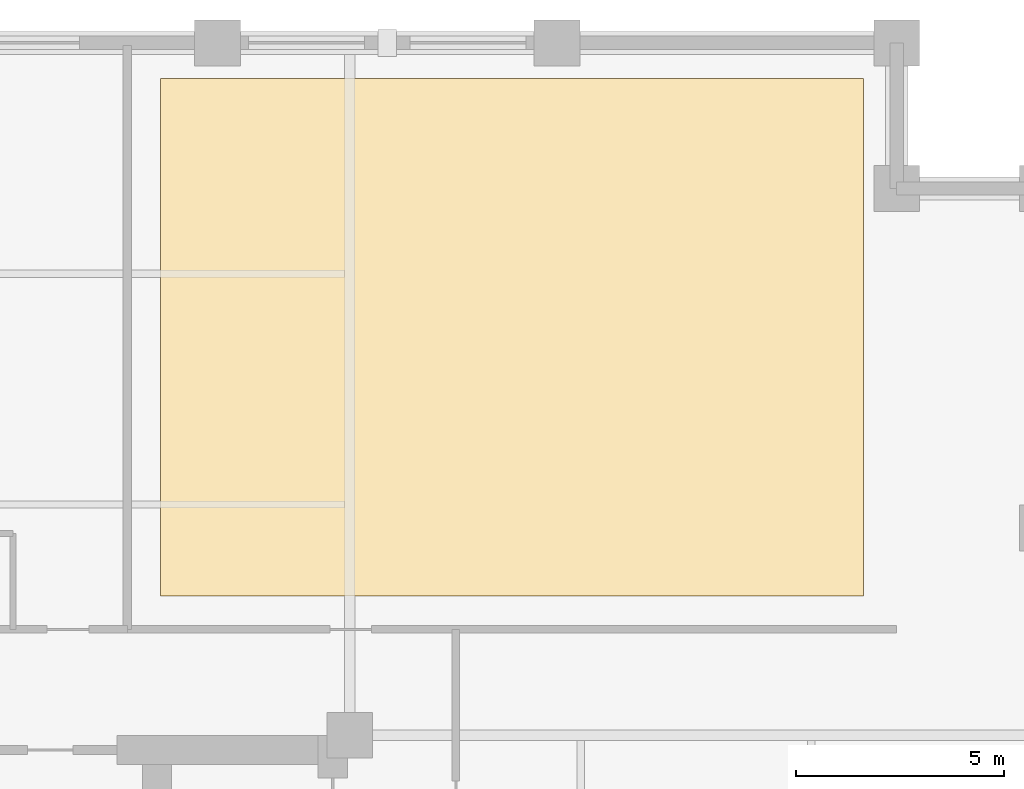
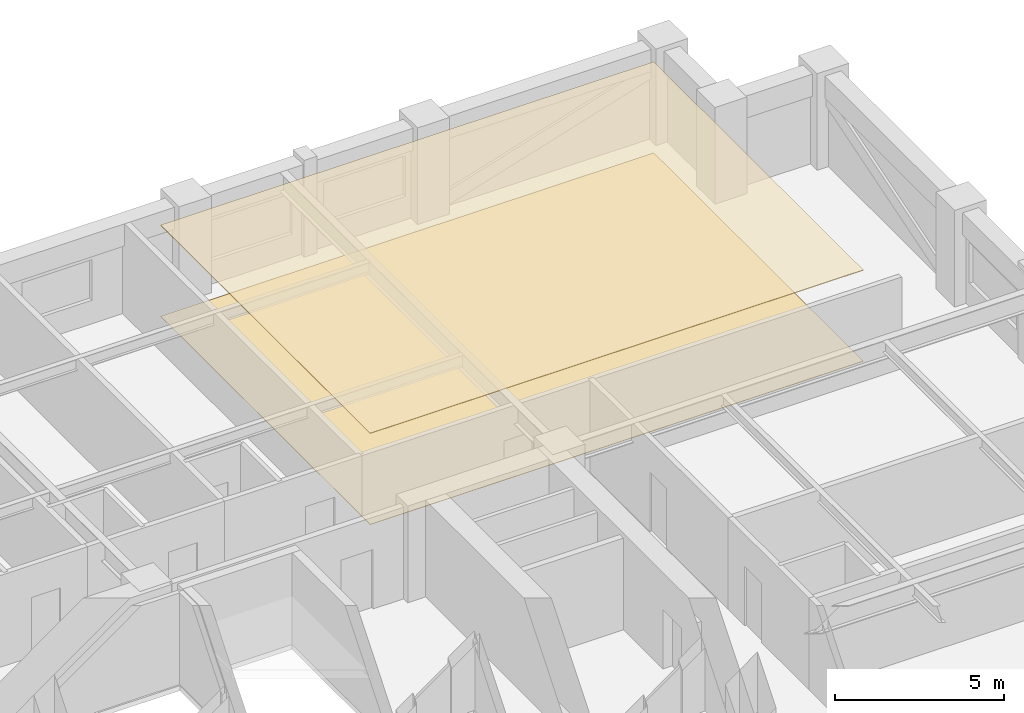
# One storey, part 12 of 12: 2 coverings.
"""IFC4 building model written with IfcOpenShell, lengths in metres."""

import ifcopenshell
import ifcopenshell.guid

model = None  # the IFC model being written
_history = None  # IfcOwnerHistory: only IFC2X3 demands one
_inside = {}  # id of a spatial element -> (the spatial element, [elements in it])
_under = {}  # id of a project, library or spatial element -> (it, [spatial elements below it])
_declared = {}  # id of a project -> (the project, [libraries it declares])
_typed = {}  # id of a type object -> (the type object, [elements of that type])
_made_of = {}  # id of a material, layer set ... -> (it, [elements and type objects made of it])


def new_model(schema):
    """Start an empty IFC model of exactly this schema.

    Asked for "IFC4X3", IfcOpenShell would pick the latest addendum, in which some entities
    have other attributes; the version numbers below select the first issue.
    IFC2X3 requires an IfcOwnerHistory on every rooted entity: one is made here for all.
    """
    global model, _history
    if schema == "IFC4X3":
        model = ifcopenshell.file(schema_version=(4, 3, 0, 0))
    else:
        model = ifcopenshell.file(schema=schema)
    _inside.clear()
    _under.clear()
    _declared.clear()
    _typed.clear()
    _made_of.clear()
    _history = None
    if model.schema == "IFC2X3":
        org = make("IfcOrganization", Name="unknown")
        user = make(
            "IfcPersonAndOrganization",
            ThePerson=make("IfcPerson", FamilyName="unknown"),
            TheOrganization=org,
        )
        app = make(
            "IfcApplication",
            ApplicationDeveloper=org,
            Version="unknown",
            ApplicationFullName="unknown",
            ApplicationIdentifier="unknown",
        )
        _history = make(
            "IfcOwnerHistory",
            OwningUser=user,
            OwningApplication=app,
            ChangeAction="ADDED",
            CreationDate=0,
        )
    return model


def make(cls, **values):
    """One entity of the class cls with the attributes given. An attribute that is None is left unset."""
    return model.create_entity(
        cls, **{name: value for name, value in values.items() if value is not None}
    )


def rooted(cls, **values):
    """An entity with a GlobalId (a new one), such as an element, a storey or a relation."""
    return make(cls, GlobalId=ifcopenshell.guid.new(), OwnerHistory=_history, **values)


def si_unit(unit_type, name, prefix=None):
    """IfcSIUnit, for example si_unit("LENGTHUNIT", "METRE", prefix="MILLI")."""
    return make("IfcSIUnit", UnitType=unit_type, Prefix=prefix, Name=name)


def assignment(units):
    """IfcUnitAssignment: the units of a project."""
    return None if units is None else make("IfcUnitAssignment", Units=units)


def point(xyz):
    """IfcCartesianPoint."""
    return None if xyz is None else make("IfcCartesianPoint", Coordinates=xyz)


def direction(xyz):
    """IfcDirection."""
    return None if xyz is None else make("IfcDirection", DirectionRatios=xyz)


def frame(location, z_axis=None, x_axis=None):
    """IfcAxis2Placement3D, a coordinate frame: its origin and axes. An axis left out is left unset."""
    return make(
        "IfcAxis2Placement3D",
        Location=point(location),
        Axis=direction(z_axis),
        RefDirection=direction(x_axis),
    )


def origin():
    """The frame at (0, 0, 0) with its axes left unset."""
    return frame((0.0, 0.0, 0.0))


def place(relative_to, where):
    """IfcLocalPlacement: puts the frame where relative to a parent placement (None: the world)."""
    return make(
        "IfcLocalPlacement", PlacementRelTo=relative_to, RelativePlacement=where
    )


def context(
    kind, dimensions, precision=None, world=None, true_north=None, identifier=None
):
    """IfcGeometricRepresentationContext, for example the 3D "Model" context."""
    return make(
        "IfcGeometricRepresentationContext",
        ContextIdentifier=identifier,
        ContextType=kind,
        CoordinateSpaceDimension=dimensions,
        Precision=precision,
        WorldCoordinateSystem=world,
        TrueNorth=true_north,
    )


def subcontext(parent, identifier, kind, view, scale=None):
    """IfcGeometricRepresentationSubContext, for example "Body" below "Model"."""
    return make(
        "IfcGeometricRepresentationSubContext",
        ContextIdentifier=identifier,
        ContextType=kind,
        ParentContext=parent,
        TargetScale=scale,
        TargetView=view,
    )


def project(units=None, contexts=None):
    """IfcProject with its units and contexts."""
    return rooted(
        "IfcProject",
        Name="project",
        RepresentationContexts=contexts,
        UnitsInContext=assignment(units),
    )


def spatial(cls, under=None, at=None, **own):
    """A site, building, storey or space (cls), placed at a placement, below another one or the project."""
    s = rooted(cls, ObjectPlacement=at, **own)
    if under is not None:
        _under.setdefault(under.id(), (under, []))[1].append(s)
    return s


def polyline(points):
    """IfcPolyline through the points."""
    return make("IfcPolyline", Points=[point(p) for p in points])


def outline(outer, holes=None, kind="AREA"):
    """IfcArbitraryClosedProfileDef: a profile drawn as a closed curve; with holes, ...WithVoids."""
    if holes is None:
        return make("IfcArbitraryClosedProfileDef", ProfileType=kind, OuterCurve=outer)
    return make(
        "IfcArbitraryProfileDefWithVoids",
        ProfileType=kind,
        OuterCurve=outer,
        InnerCurves=holes,
    )


def extrude(swept, where, along, depth):
    """IfcExtrudedAreaSolid: the profile swept, set in the frame where, extruded along a direction by depth."""
    return make(
        "IfcExtrudedAreaSolid",
        SweptArea=swept,
        Position=where,
        ExtrudedDirection=direction(along),
        Depth=depth,
    )


def shape(context_of_items, identifier, shape_type, items):
    """IfcShapeRepresentation: the items that make up one representation, for example the "Body"."""
    return make(
        "IfcShapeRepresentation",
        ContextOfItems=context_of_items,
        RepresentationIdentifier=identifier,
        RepresentationType=shape_type,
        Items=items,
    )


def material(Name=None, Category=None):
    """IfcMaterial."""
    return make("IfcMaterial", Name=Name, Category=Category)


def layer(
    of_material, thickness, ventilated=None, Name=None, Category=None, Priority=None
):
    """IfcMaterialLayer: one layer of a wall or slab, of a material (None: an air gap)."""
    return make(
        "IfcMaterialLayer",
        Material=of_material,
        LayerThickness=thickness,
        IsVentilated=ventilated,
        Name=Name,
        Category=Category,
        Priority=Priority,
    )


def layer_set(layers, Name=None):
    """IfcMaterialLayerSet."""
    return make("IfcMaterialLayerSet", MaterialLayers=layers, LayerSetName=Name)


def made_of(thing, what):
    """Note that an element or type object is made of a material, layer set ...; save() writes the relation."""
    if what is not None:
        _made_of.setdefault(what.id(), (what, []))[1].append(thing)
    return thing


def type_object(cls, material=None, **own):
    """A type object (cls), such as IfcWallType, which elements share."""
    return made_of(rooted(cls, **own), material)


def element(
    cls,
    number,
    at=None,
    inside=None,
    cuts=None,
    type_object=None,
    material=None,
    context=None,
    identifier="Body",
    shape_type=None,
    held_by="IfcProductDefinitionShape",
    body=None,
    shapes=None,
    **own,
):
    """One element of the class cls, such as IfcWall. Its Tag is "e" and its number.

    at: its placement. inside: the storey or other place that contains it. cuts: it is an
    opening in that element (IfcRelVoidsElement). A single representation is given by context,
    identifier, shape_type and body (its items); several are given by shapes. held_by: the class
    of the entity that holds the representations. save() writes the other relations.
    """
    e = rooted(cls, Tag="e%d" % number, ObjectPlacement=at, **own)
    if body is not None:
        shapes = [shape(context, identifier, shape_type, body)]
    if shapes is not None:
        e.Representation = make(held_by, Representations=shapes)
    if inside is not None:
        _inside.setdefault(inside.id(), (inside, []))[1].append(e)
    if cuts is not None:
        rooted(
            "IfcRelVoidsElement", RelatingBuildingElement=cuts, RelatedOpeningElement=e
        )
    if type_object is not None:
        _typed.setdefault(type_object.id(), (type_object, []))[1].append(e)
    return made_of(e, material)


def aggregate(whole, parts):
    """IfcRelAggregates: a whole, such as a stair, and the parts it consists of."""
    return rooted("IfcRelAggregates", RelatingObject=whole, RelatedObjects=parts)


def save(model, path):
    """Write the relations noted so far, then the file.

    IfcRelAggregates (storeys below a building ...), IfcRelContainedInSpatialStructure (elements
    in a storey), IfcRelDefinesByType, IfcRelAssociatesMaterial and IfcRelDeclares: one each for
    every whole, place, type object, material and project.
    """
    for whole, parts in _under.values():
        aggregate(whole, parts)
    for where, things in _inside.values():
        rooted(
            "IfcRelContainedInSpatialStructure",
            RelatedElements=things,
            RelatingStructure=where,
        )
    for kind, things in _typed.values():
        rooted("IfcRelDefinesByType", RelatedObjects=things, RelatingType=kind)
    for what, things in _made_of.values():
        rooted("IfcRelAssociatesMaterial", RelatedObjects=things, RelatingMaterial=what)
    for by, libraries in _declared.values():
        rooted("IfcRelDeclares", RelatingContext=by, RelatedDefinitions=libraries)
    model.write(path)


model = new_model("IFC4")

# Units and contexts
model_context = context("Model", 3, precision=1e-05, world=origin(), true_north=direction((0.0, 1.0)))
body_context = subcontext(model_context, "Body", "Model", "MODEL_VIEW")
ifc_project = project(units=[si_unit("LENGTHUNIT", "METRE"), si_unit("AREAUNIT", "SQUARE_METRE"), si_unit("VOLUMEUNIT", "CUBIC_METRE"), si_unit("PLANEANGLEUNIT", "RADIAN"), si_unit("MASSUNIT", "GRAM", prefix="KILO")], contexts=[model_context])

# Site, building, storey
site_placement = place(None, origin())
site = spatial("IfcSite", under=ifc_project, at=site_placement, CompositionType="ELEMENT")
building_placement = place(site_placement, origin())
building = spatial("IfcBuilding", under=site, at=building_placement, Name="Nhamokura Convention Tower", CompositionType="ELEMENT")
storey_placement = place(building_placement, frame((0.0, 0.0, 49.35009765625)))
storey = spatial("IfcBuildingStorey", under=building, at=storey_placement, Name="L10", CompositionType="ELEMENT", Elevation=49.35009765625)

# Coverings
ifc_material_1 = material(Name="Mineral-fibre acoustic ceiling tile", Category="gypsum")
ifc_layer_1 = layer(ifc_material_1, 0.02490234375)
ifc_layer_set_1 = layer_set([ifc_layer_1], Name="AcousticTileCeiling_25")
covering_type_1 = type_object("IfcCoveringType", Name="AcousticTileCeiling_25", PredefinedType="CEILING", material=ifc_layer_set_1)
covering_1_placement = place(storey_placement, frame((0.0, 0.0, 3.294921875)))
element("IfcCovering", 1, at=covering_1_placement, inside=storey, type_object=covering_type_1, Name="L10 Suspended Ceiling 05", PredefinedType="CEILING", context=body_context, shape_type="SweptSolid", body=[
    extrude(outline(polyline([(38.800048828125, 46.699951171875), (55.699951171875, 46.699951171875), (55.699951171875, 59.139892578125), (38.800048828125, 59.139892578125), (38.800048828125, 46.699951171875)])), origin(), (0.0, 0.0, 1.0), 0.02490234375),
])
ifc_material_2 = material(Name="Acoustic woven hospitality carpet", Category="wood")
ifc_layer_2 = layer(ifc_material_2, 0.014892578125)
ifc_layer_set_2 = layer_set([ifc_layer_2], Name="WovenCarpetFlooring_15")
covering_type_2 = type_object("IfcCoveringType", Name="WovenCarpetFlooring_15", PredefinedType="FLOORING", material=ifc_layer_set_2)
covering_2_placement = place(storey_placement, origin())
element("IfcCovering", 2, at=covering_2_placement, inside=storey, type_object=covering_type_2, Name="L10 Finish Flooring 05", PredefinedType="FLOORING", context=body_context, shape_type="SweptSolid", body=[
    extrude(outline(polyline([(38.800048828125, 46.699951171875), (55.699951171875, 46.699951171875), (55.699951171875, 59.139892578125), (38.800048828125, 59.139892578125), (38.800048828125, 46.699951171875)])), origin(), (0.0, 0.0, 1.0), 0.014892578125),
])

save(model, "model.ifc")
